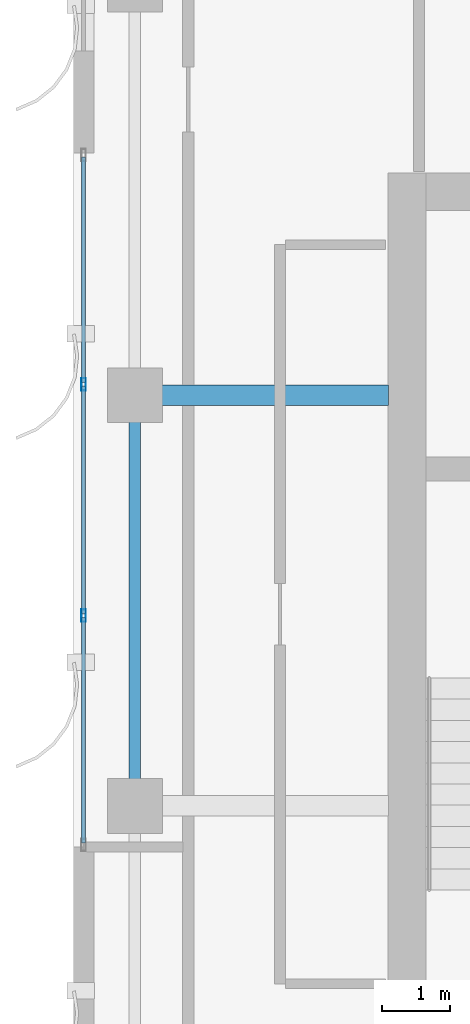
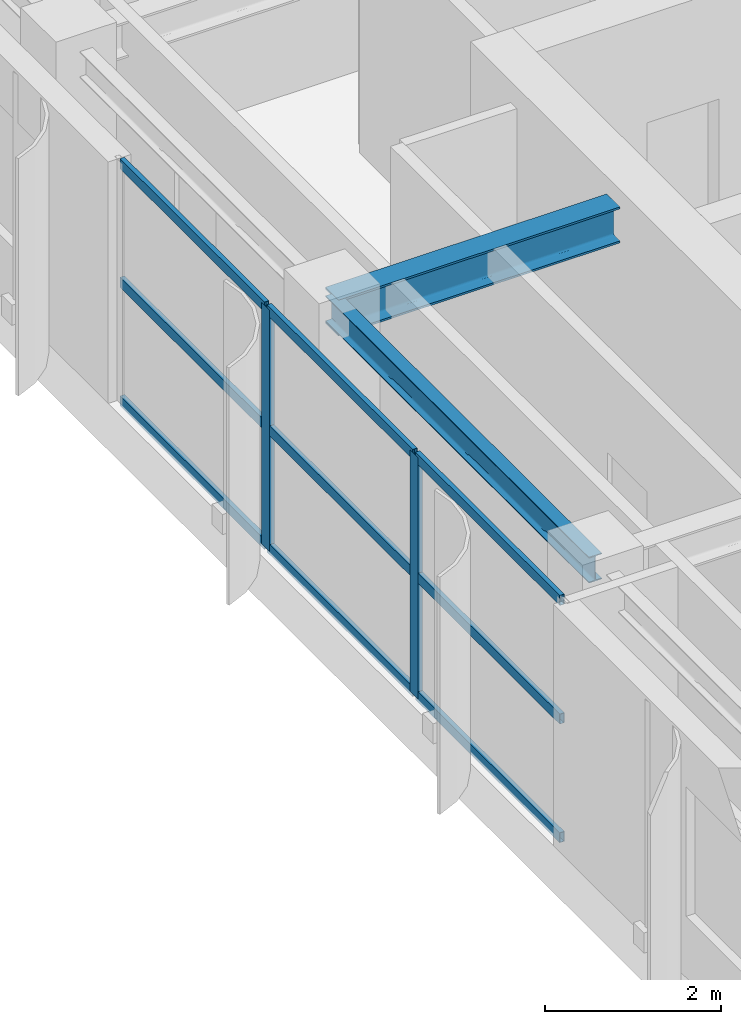
# One storey, part 6 of 24: 11 members, 2 beams, 1 element without a shape of its own.
"""IFC4 building model written with IfcOpenShell, lengths in metres."""

from ifc_helpers import new_model, si_unit, direction, frame, origin, origin_2d, place, context, subcontext, project, spatial, hollow_rectangle, i_section, extrude, source, transform, mapped, material, layer, layer_set, material_profile, profile_set, type_object, element, aggregate, save


model = new_model("IFC4")

# Units and contexts
model_context = context("Model", 3, precision=1e-05, world=origin(), true_north=direction((0.0, 1.0)))
body_context = subcontext(model_context, "Body", "Model", "MODEL_VIEW")
ifc_project = project(units=[si_unit("LENGTHUNIT", "METRE"), si_unit("AREAUNIT", "SQUARE_METRE"), si_unit("VOLUMEUNIT", "CUBIC_METRE"), si_unit("PLANEANGLEUNIT", "RADIAN"), si_unit("MASSUNIT", "GRAM", prefix="KILO")], contexts=[model_context])

# Site, building, storey
site_placement = place(None, origin())
site = spatial("IfcSite", under=ifc_project, at=site_placement, CompositionType="ELEMENT")
building_placement = place(site_placement, origin())
building = spatial("IfcBuilding", under=site, at=building_placement, Name="Khoralis Quay Care Tower", CompositionType="ELEMENT")
storey_placement = place(building_placement, frame((0.0, 0.0, 227.699951171875)))
storey = spatial("IfcBuildingStorey", under=building, at=storey_placement, Name="L59", CompositionType="ELEMENT", Elevation=227.699951171875)

# Beams
ifc_material_1 = material(Name="Steel S355", Category="steel")
ifc_material_profile_1 = material_profile(ifc_material_1, i_section(OverallWidth=0.169921875, OverallDepth=0.360107421875, WebThickness=0.008056640625, FlangeThickness=0.0126953125, FilletRadius=0.01806640625, at=origin_2d()), Name="Steel S355")
ifc_profile_set_1 = profile_set([ifc_material_profile_1], Name="Steel S355")
beam_type_1 = type_object("IfcBeamType", Name="BM-IPE360", PredefinedType="SPANDREL", material=ifc_profile_set_1)
shared_shape_1 = source(origin(), body_context, "Body", "SweptSolid", [
    extrude(i_section(OverallWidth=0.169921875, OverallDepth=0.360107421875, WebThickness=0.008056640625, FlangeThickness=0.0126953125, FilletRadius=0.01806640625, at=origin_2d()), origin(), (0.0, 0.0, 1.0), 6.0),
])
beam_1_placement = place(storey_placement, frame((3.89990234375, 18.0, 3.179931640625), z_axis=(0.0, 1.0, 0.0), x_axis=(-1.0, 0.0, 0.0)))
element("IfcBeam", 1, at=beam_1_placement, inside=storey, type_object=beam_type_1, Name="BM-TSP-L59-06", PredefinedType="SPANDREL", context=body_context, shape_type="MappedRepresentation", body=[
    mapped(shared_shape_1, transform((0.0, 0.0, 0.0), scale=1.0)),
])
ifc_material_profile_2 = material_profile(ifc_material_1, i_section(OverallWidth=0.300048828125, OverallDepth=0.5, WebThickness=0.014404296875, FlangeThickness=0.028076171875, FilletRadius=0.027099609375, at=origin_2d()), Name="Steel S355")
ifc_profile_set_2 = profile_set([ifc_material_profile_2], Name="Steel S355")
beam_type_2 = type_object("IfcBeamType", Name="BM-HEB500", PredefinedType="BEAM", material=ifc_profile_set_2)
shared_shape_2 = source(origin(), body_context, "Body", "SweptSolid", [
    extrude(i_section(OverallWidth=0.300048828125, OverallDepth=0.5, WebThickness=0.014404296875, FlangeThickness=0.028076171875, FilletRadius=0.027099609375, at=origin_2d()), origin(), (0.0, 0.0, 1.0), 3.7021484375),
])
beam_2_placement = place(storey_placement, frame((3.89990234375, 24.0, 3.110107421875), z_axis=(1.0, 0.0, 0.0), x_axis=(0.0, 1.0, 0.0)))
element("IfcBeam", 2, at=beam_2_placement, inside=storey, type_object=beam_type_2, Name="BM-TGXW-L59-240", PredefinedType="BEAM", context=body_context, shape_type="MappedRepresentation", body=[
    mapped(shared_shape_2, transform((0.0, 0.0, 0.0), scale=1.0)),
])

# Curtain wall, members
ifc_material_2 = material(Name="Pale anodised aluminium", Category="aluminium")
ifc_layer = layer(ifc_material_2, 0.159912109375)
ifc_layer_set = layer_set([ifc_layer], Name="Pale anodised aluminium")
curtain_wall_type = type_object("IfcCurtainWallType", Name="CW-SYS-Z3", PredefinedType="NOTDEFINED", material=ifc_layer_set)
curtain_wall_placement = place(storey_placement, origin())
curtain_wall = element("IfcCurtainWall", 3, at=curtain_wall_placement, inside=storey, type_object=curtain_wall_type, Name="L59 Unitised Curtain Wall CW-L59-P1-E7", PredefinedType="NOTDEFINED")
ifc_material_profile_3 = material_profile(ifc_material_2, hollow_rectangle(XDim=0.06005859375, YDim=0.139892578125, WallThickness=0.00390625, at=origin_2d()), Name="Pale anodised aluminium")
ifc_profile_set_3 = profile_set([ifc_material_profile_3], Name="Pale anodised aluminium")
member_type_1 = type_object("IfcMemberType", Name="CW-TRN-140", PredefinedType="USERDEFINED", material=ifc_profile_set_3)
shared_shape_3 = source(origin(), body_context, "Body", "SweptSolid", [
    extrude(hollow_rectangle(XDim=0.06005859375, YDim=0.139892578125, WallThickness=0.00390625, at=origin_2d()), origin(), (0.0, 0.0, 1.0), 3.2900390625),
])
member_1_placement = place(storey_placement, frame((3.14990234375, 27.47998046875, 0.030029296875), z_axis=(0.0, -1.0, 0.0), x_axis=(1.0, 0.0, 0.0)))
member_1 = element("IfcMember", 4, at=member_1_placement, type_object=member_type_1, Name="CW3 transom 1.1", ObjectType="TRANSOM", PredefinedType="USERDEFINED", context=body_context, shape_type="MappedRepresentation", body=[
    mapped(shared_shape_3, transform((0.0, 0.0, 0.0), scale=1.0)),
])
member_2_placement = place(storey_placement, frame((3.14990234375, 27.47998046875, 1.679931640625), z_axis=(0.0, -1.0, 0.0), x_axis=(1.0, 0.0, 0.0)))
member_2 = element("IfcMember", 5, at=member_2_placement, type_object=member_type_1, Name="CW3 transom 1.2", ObjectType="TRANSOM", PredefinedType="USERDEFINED", context=body_context, shape_type="MappedRepresentation", body=[
    mapped(shared_shape_3, transform((0.0, 0.0, 0.0), scale=1.0)),
])
member_3_placement = place(storey_placement, frame((3.14990234375, 27.47998046875, 3.330078125), z_axis=(0.0, -1.0, 0.0), x_axis=(1.0, 0.0, 0.0)))
member_3 = element("IfcMember", 6, at=member_3_placement, type_object=member_type_1, Name="CW3 transom 1.3", ObjectType="TRANSOM", PredefinedType="USERDEFINED", context=body_context, shape_type="MappedRepresentation", body=[
    mapped(shared_shape_3, transform((0.0, 0.0, 0.0), scale=1.0)),
])
member_4_placement = place(storey_placement, frame((3.14990234375, 20.75, 0.030029296875), z_axis=(0.0, -1.0, 0.0), x_axis=(1.0, 0.0, 0.0)))
member_4 = element("IfcMember", 7, at=member_4_placement, type_object=member_type_1, Name="CW3 transom 3.1", ObjectType="TRANSOM", PredefinedType="USERDEFINED", context=body_context, shape_type="MappedRepresentation", body=[
    mapped(shared_shape_3, transform((0.0, 0.0, 0.0), scale=1.0)),
])
member_5_placement = place(storey_placement, frame((3.14990234375, 20.75, 1.679931640625), z_axis=(0.0, -1.0, 0.0), x_axis=(1.0, 0.0, 0.0)))
member_5 = element("IfcMember", 8, at=member_5_placement, type_object=member_type_1, Name="CW3 transom 3.2", ObjectType="TRANSOM", PredefinedType="USERDEFINED", context=body_context, shape_type="MappedRepresentation", body=[
    mapped(shared_shape_3, transform((0.0, 0.0, 0.0), scale=1.0)),
])
member_6_placement = place(storey_placement, frame((3.14990234375, 20.75, 3.330078125), z_axis=(0.0, -1.0, 0.0), x_axis=(1.0, 0.0, 0.0)))
member_6 = element("IfcMember", 9, at=member_6_placement, type_object=member_type_1, Name="CW3 transom 3.3", ObjectType="TRANSOM", PredefinedType="USERDEFINED", context=body_context, shape_type="MappedRepresentation", body=[
    mapped(shared_shape_3, transform((0.0, 0.0, 0.0), scale=1.0)),
])
ifc_material_profile_4 = material_profile(ifc_material_2, hollow_rectangle(XDim=0.06494140625, YDim=0.179931640625, WallThickness=0.00390625, at=origin_2d()), Name="Pale anodised aluminium")
ifc_profile_set_4 = profile_set([ifc_material_profile_4], Name="Pale anodised aluminium")
member_type_2 = type_object("IfcMemberType", Name="CW-MUL-180", PredefinedType="MULLION", material=ifc_profile_set_4)
shared_shape_4 = source(origin(), body_context, "Body", "SweptSolid", [
    extrude(hollow_rectangle(XDim=0.06494140625, YDim=0.179931640625, WallThickness=0.00390625, at=origin_2d()), origin(), (0.0, 0.0, 1.0), 3.360107421875),
])
member_7_placement = place(storey_placement, frame((3.14990234375, 24.159912109375, 0.0), z_axis=(0.0, 0.0, 1.0), x_axis=(1.0, 0.0, 0.0)))
member_7 = element("IfcMember", 10, at=member_7_placement, type_object=member_type_2, Name="CW3 mullion 2", PredefinedType="MULLION", context=body_context, shape_type="MappedRepresentation", body=[
    mapped(shared_shape_4, transform((0.0, 0.0, 0.0), scale=1.0)),
])
member_8_placement = place(storey_placement, frame((3.14990234375, 20.780029296875, 0.0), z_axis=(0.0, 0.0, 1.0), x_axis=(1.0, 0.0, 0.0)))
member_8 = element("IfcMember", 11, at=member_8_placement, type_object=member_type_2, Name="CW3 mullion 3", PredefinedType="MULLION", context=body_context, shape_type="MappedRepresentation", body=[
    mapped(shared_shape_4, transform((0.0, 0.0, 0.0), scale=1.0)),
])
shared_shape_5 = source(origin(), body_context, "Body", "SweptSolid", [
    extrude(hollow_rectangle(XDim=0.06005859375, YDim=0.139892578125, WallThickness=0.00390625, at=origin_2d()), origin(), (0.0, 0.0, 1.0), 3.31982421875),
])
member_9_placement = place(storey_placement, frame((3.14990234375, 24.1298828125, 0.030029296875), z_axis=(0.0, -1.0, 0.0), x_axis=(1.0, 0.0, 0.0)))
member_9 = element("IfcMember", 12, at=member_9_placement, type_object=member_type_1, Name="CW3 transom 2.1", ObjectType="TRANSOM", PredefinedType="USERDEFINED", context=body_context, shape_type="MappedRepresentation", body=[
    mapped(shared_shape_5, transform((0.0, 0.0, 0.0), scale=1.0)),
])
member_10_placement = place(storey_placement, frame((3.14990234375, 24.1298828125, 1.679931640625), z_axis=(0.0, -1.0, 0.0), x_axis=(1.0, 0.0, 0.0)))
member_10 = element("IfcMember", 13, at=member_10_placement, type_object=member_type_1, Name="CW3 transom 2.2", ObjectType="TRANSOM", PredefinedType="USERDEFINED", context=body_context, shape_type="MappedRepresentation", body=[
    mapped(shared_shape_5, transform((0.0, 0.0, 0.0), scale=1.0)),
])
member_11_placement = place(storey_placement, frame((3.14990234375, 24.1298828125, 3.330078125), z_axis=(0.0, -1.0, 0.0), x_axis=(1.0, 0.0, 0.0)))
member_11 = element("IfcMember", 14, at=member_11_placement, type_object=member_type_1, Name="CW3 transom 2.3", ObjectType="TRANSOM", PredefinedType="USERDEFINED", context=body_context, shape_type="MappedRepresentation", body=[
    mapped(shared_shape_5, transform((0.0, 0.0, 0.0), scale=1.0)),
])
aggregate(curtain_wall, [member_7, member_8, member_1, member_2, member_3, member_9, member_10, member_11, member_4, member_5, member_6])

save(model, "model.ifc")
